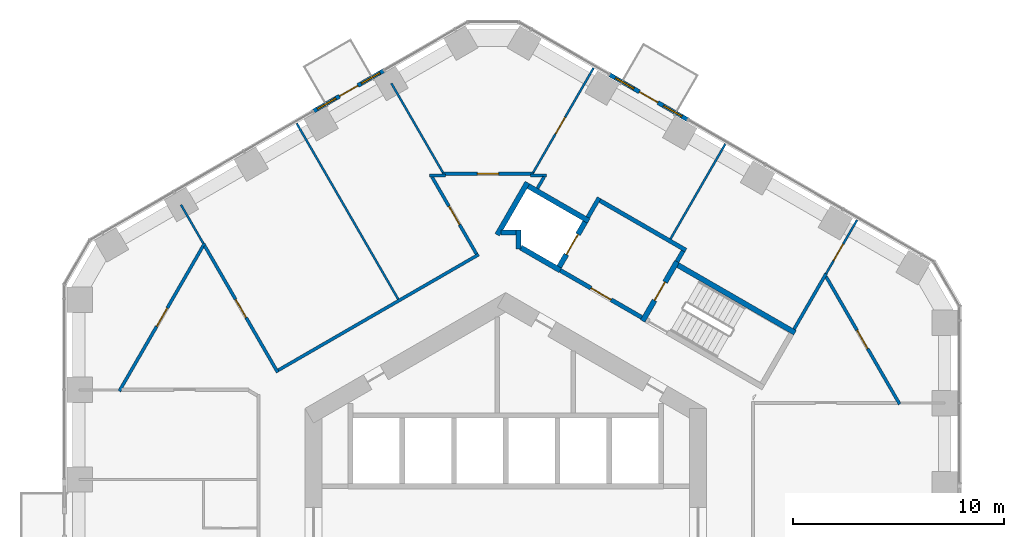
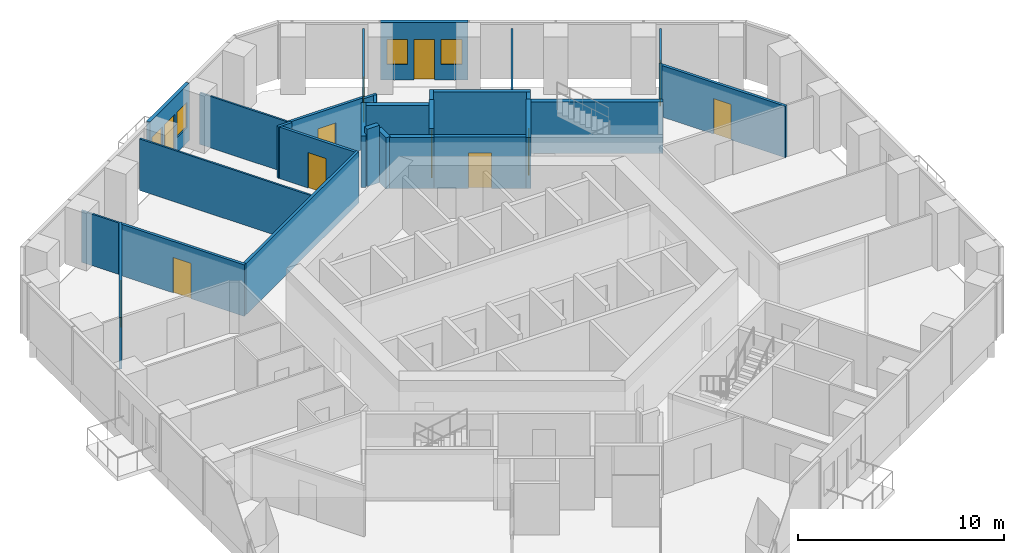
# One storey, part 16 of 20: 30 walls, 12 doors, 4 windows, 16 openings.
"""IFC4 building model written with IfcOpenShell, lengths in metres."""

from ifc_helpers import new_model, si_unit, direction, frame, frame_2d, origin, place, context, subcontext, project, spatial, rectangle, extrude, material, layer, layer_set, type_object, element, fill, save


model = new_model("IFC4")

# Units and contexts
model_context = context("Model", 3, precision=1e-05, world=origin(), true_north=direction((0.0, 1.0)))
body_context = subcontext(model_context, "Body", "Model", "MODEL_VIEW")
ifc_project = project(units=[si_unit("LENGTHUNIT", "METRE"), si_unit("AREAUNIT", "SQUARE_METRE"), si_unit("VOLUMEUNIT", "CUBIC_METRE"), si_unit("PLANEANGLEUNIT", "RADIAN"), si_unit("MASSUNIT", "GRAM", prefix="KILO")], contexts=[model_context])

# Site, building, storey
site_placement = place(None, origin())
site = spatial("IfcSite", under=ifc_project, at=site_placement, CompositionType="ELEMENT")
building_placement = place(site_placement, origin())
building = spatial("IfcBuilding", under=site, at=building_placement, Name="Ayvan Gate Tower", CompositionType="ELEMENT")
storey_placement = place(building_placement, frame((0.0, 0.0, 59.5)))
storey = spatial("IfcBuildingStorey", under=building, at=storey_placement, Name="L15", CompositionType="ELEMENT", Elevation=59.5)

# Wall, openings, door, windows
ifc_material_1 = material(Name="Insulated metal panel wall")
ifc_layer_1 = layer(ifc_material_1, 0.199951171875)
ifc_layer_set_1 = layer_set([ifc_layer_1], Name="Insulated metal panel wall")
wall_type_1 = type_object("IfcWallType", Name="Balcony door wall 200", PredefinedType="SOLIDWALL", material=ifc_layer_set_1)
wall_1_placement = place(storey_placement, frame((-5.781005859375, 21.470703125, 0.0), z_axis=(0.0, 0.0, 1.0), x_axis=(-0.866007800909, -0.500030487836, 0.0)))
wall_1 = element("IfcWall", 1, at=wall_1_placement, inside=storey, type_object=wall_type_1, Name="EW:L15:2:1", PredefinedType="SOLIDWALL", context=body_context, shape_type="SweptSolid", body=[
    extrude(rectangle(XDim=3.819091796875, YDim=0.199951171875, at=frame_2d((1.90966796875, 0.0))), origin(), (0.0, 0.0, 1.0), 3.39990234375),
])
opening_1_placement = place(wall_1_placement, frame((1.409423828125, 0.0, 0.0)))
opening_1 = element("IfcOpeningElement", 2, at=opening_1_placement, cuts=wall_1, Name="Opening L15-D92", PredefinedType="OPENING", context=body_context, shape_type="SweptSolid", body=[
    extrude(rectangle(XDim=1.0, YDim=2.39990234375, at=frame_2d((0.5, 1.199951171875))), frame((0.0, 0.10986328125, 0.0), z_axis=(0.0, -1.0, 0.0), x_axis=(1.0, 0.0, 0.0)), (0.0, 0.0, 1.0), 0.219970703125),
])
opening_2_placement = place(wall_1_placement, frame((0.204833984375, 0.0, 0.89990234375)))
opening_2 = element("IfcOpeningElement", 3, at=opening_2_placement, cuts=wall_1, Name="Opening W-B1", PredefinedType="OPENING", context=body_context, shape_type="SweptSolid", body=[
    extrude(rectangle(XDim=1.0, YDim=1.5, at=frame_2d((0.5, 0.75))), frame((0.0, 0.10986328125, 0.0), z_axis=(0.0, -1.0, 0.0), x_axis=(1.0, 0.0, 0.0)), (0.0, 0.0, 1.0), 0.219970703125),
])
opening_3_placement = place(wall_1_placement, frame((2.6142578125, 0.0, 0.89990234375)))
opening_3 = element("IfcOpeningElement", 4, at=opening_3_placement, cuts=wall_1, Name="Opening W-B1", PredefinedType="OPENING", context=body_context, shape_type="SweptSolid", body=[
    extrude(rectangle(XDim=1.0, YDim=1.5, at=frame_2d((0.5, 0.75))), frame((0.0, 0.10986328125, 0.0), z_axis=(0.0, -1.0, 0.0), x_axis=(1.0, 0.0, 0.0)), (0.0, 0.0, 1.0), 0.219970703125),
])
ifc_material_2 = material(Name="Bronze anodised aluminium and clear glass", Category="aluminium")
door_type_1 = type_object("IfcDoorType", Name="Balcony door D-B", OperationType="SINGLE_SWING_RIGHT", PredefinedType="DOOR", material=ifc_material_2)
door_1_placement = place(opening_1_placement, origin())
door_1 = element("IfcDoor", 5, at=door_1_placement, inside=storey, type_object=door_type_1, Name="Balcony door BAL-L15-2", OperationType="SINGLE_SWING_RIGHT", OverallHeight=2.39990234375, OverallWidth=1.0, PredefinedType="DOOR", context=body_context, shape_type="SweptSolid", body=[
    extrude(rectangle(XDim=1.0, YDim=2.39990234375, at=frame_2d((0.5, 1.199951171875))), frame((0.0, 0.02490234375, 0.0), z_axis=(0.0, -1.0, 0.0), x_axis=(1.0, 0.0, 0.0)), (0.0, 0.0, 1.0), 0.050048828125),
])
fill(opening_1, door_1)
window_type = type_object("IfcWindowType", Name="Balcony side light W-B Z1", PartitioningType="SINGLE_PANEL", PredefinedType="WINDOW", material=ifc_material_2)
window_1_placement = place(opening_2_placement, origin())
window_1 = element("IfcWindow", 6, at=window_1_placement, inside=storey, type_object=window_type, Name="Balcony side light BAL-L15-2.1", OverallHeight=1.5, OverallWidth=1.0, PartitioningType="SINGLE_PANEL", PredefinedType="WINDOW", context=body_context, shape_type="SweptSolid", body=[
    extrude(rectangle(XDim=1.0, YDim=1.5, at=frame_2d((0.5, 0.75))), frame((0.0, 0.030029296875, 0.0), z_axis=(0.0, -1.0, 0.0), x_axis=(1.0, 0.0, 0.0)), (0.0, 0.0, 1.0), 0.06005859375),
])
fill(opening_2, window_1)
window_2_placement = place(opening_3_placement, origin())
window_2 = element("IfcWindow", 7, at=window_2_placement, inside=storey, type_object=window_type, Name="Balcony side light BAL-L15-2.2", OverallHeight=1.5, OverallWidth=1.0, PartitioningType="SINGLE_PANEL", PredefinedType="WINDOW", context=body_context, shape_type="SweptSolid", body=[
    extrude(rectangle(XDim=1.0, YDim=1.5, at=frame_2d((0.5, 0.75))), frame((0.0, 0.030029296875, 0.0), z_axis=(0.0, -1.0, 0.0), x_axis=(1.0, 0.0, 0.0)), (0.0, 0.0, 1.0), 0.06005859375),
])
fill(opening_3, window_2)

wall_2_placement = place(storey_placement, frame((8.60498046875, 19.15478515625, 0.0), z_axis=(0.0, 0.0, 1.0), x_axis=(-0.866022039226, 0.500005827542, 0.0)))
wall_2 = element("IfcWall", 8, at=wall_2_placement, inside=storey, type_object=wall_type_1, Name="EW:L15:1:3", PredefinedType="SOLIDWALL", context=body_context, shape_type="SweptSolid", body=[
    extrude(rectangle(XDim=4.2509765625, YDim=0.199951171875, at=frame_2d((2.12548828125, 0.0))), origin(), (0.0, 0.0, 1.0), 3.39990234375),
])
opening_4_placement = place(wall_2_placement, frame((1.62548828125, 0.0, 0.0)))
opening_4 = element("IfcOpeningElement", 9, at=opening_4_placement, cuts=wall_2, Name="Opening L15-D91", PredefinedType="OPENING", context=body_context, shape_type="SweptSolid", body=[
    extrude(rectangle(XDim=1.0, YDim=2.39990234375, at=frame_2d((0.5, 1.199951171875))), frame((0.0, 0.10986328125, 0.0), z_axis=(0.0, -1.0, 0.0), x_axis=(1.0, 0.0, 0.0)), (0.0, 0.0, 1.0), 0.219970703125),
])
opening_5_placement = place(wall_2_placement, frame((0.312744140625, 0.0, 0.89990234375)))
opening_5 = element("IfcOpeningElement", 10, at=opening_5_placement, cuts=wall_2, Name="Opening W-B1", PredefinedType="OPENING", context=body_context, shape_type="SweptSolid", body=[
    extrude(rectangle(XDim=1.0, YDim=1.5, at=frame_2d((0.5, 0.75))), frame((0.0, 0.10986328125, 0.0), z_axis=(0.0, -1.0, 0.0), x_axis=(1.0, 0.0, 0.0)), (0.0, 0.0, 1.0), 0.219970703125),
])
opening_6_placement = place(wall_2_placement, frame((2.938232421875, 0.0, 0.89990234375)))
opening_6 = element("IfcOpeningElement", 11, at=opening_6_placement, cuts=wall_2, Name="Opening W-B1", PredefinedType="OPENING", context=body_context, shape_type="SweptSolid", body=[
    extrude(rectangle(XDim=1.0, YDim=1.5, at=frame_2d((0.5, 0.75))), frame((0.0, 0.10986328125, 0.0), z_axis=(0.0, -1.0, 0.0), x_axis=(1.0, 0.0, 0.0)), (0.0, 0.0, 1.0), 0.219970703125),
])
door_2_placement = place(opening_4_placement, origin())
door_2 = element("IfcDoor", 12, at=door_2_placement, inside=storey, type_object=door_type_1, Name="Balcony door BAL-L15-1", OperationType="SINGLE_SWING_RIGHT", OverallHeight=2.39990234375, OverallWidth=1.0, PredefinedType="DOOR", context=body_context, shape_type="SweptSolid", body=[
    extrude(rectangle(XDim=1.0, YDim=2.39990234375, at=frame_2d((0.5, 1.199951171875))), frame((0.0, 0.02490234375, 0.0), z_axis=(0.0, -1.0, 0.0), x_axis=(1.0, 0.0, 0.0)), (0.0, 0.0, 1.0), 0.050048828125),
])
fill(opening_4, door_2)
window_3_placement = place(opening_5_placement, origin())
window_3 = element("IfcWindow", 13, at=window_3_placement, inside=storey, type_object=window_type, Name="Balcony side light BAL-L15-1.1", OverallHeight=1.5, OverallWidth=1.0, PartitioningType="SINGLE_PANEL", PredefinedType="WINDOW", context=body_context, shape_type="SweptSolid", body=[
    extrude(rectangle(XDim=1.0, YDim=1.5, at=frame_2d((0.5, 0.75))), frame((0.0, 0.030029296875, 0.0), z_axis=(0.0, -1.0, 0.0), x_axis=(1.0, 0.0, 0.0)), (0.0, 0.0, 1.0), 0.06005859375),
])
fill(opening_5, window_3)
window_4_placement = place(opening_6_placement, origin())
window_4 = element("IfcWindow", 14, at=window_4_placement, inside=storey, type_object=window_type, Name="Balcony side light BAL-L15-1.2", OverallHeight=1.5, OverallWidth=1.0, PartitioningType="SINGLE_PANEL", PredefinedType="WINDOW", context=body_context, shape_type="SweptSolid", body=[
    extrude(rectangle(XDim=1.0, YDim=1.5, at=frame_2d((0.5, 0.75))), frame((0.0, 0.030029296875, 0.0), z_axis=(0.0, -1.0, 0.0), x_axis=(1.0, 0.0, 0.0)), (0.0, 0.0, 1.0), 0.06005859375),
])
fill(opening_6, window_4)

# Wall, opening, door
ifc_material_3 = material(Name="Plasterboard on steel stud", Category="steel")
ifc_layer_2 = layer(ifc_material_3, 0.14990234375)
ifc_layer_set_2 = layer_set([ifc_layer_2], Name="Plasterboard on steel stud")
wall_type_2 = type_object("IfcWallType", Name="WT-CORR-150", PredefinedType="PARTITIONING", material=ifc_layer_set_2)
wall_3_placement = place(storey_placement, frame((-18.29345703125, 6.301513671875, 0.0), z_axis=(0.0, 0.0, 1.0), x_axis=(0.500010634519, 0.866019263855, 0.0)))
wall_3 = element("IfcWall", 15, at=wall_3_placement, inside=storey, type_object=wall_type_2, Name="IW-L15-003", PredefinedType="PARTITIONING", context=body_context, shape_type="SweptSolid", body=[
    extrude(rectangle(XDim=8.091064453125, YDim=0.14990234375, at=frame_2d((4.04541015625, 0.0))), origin(), (0.0, 0.0, 1.0), 3.050048828125),
])
opening_7_placement = place(wall_3_placement, frame((3.545654296875, 0.0, 0.0)))
opening_7 = element("IfcOpeningElement", 16, at=opening_7_placement, cuts=wall_3, Name="Opening L15-D23", PredefinedType="OPENING", context=body_context, shape_type="SweptSolid", body=[
    extrude(rectangle(XDim=1.0, YDim=2.10009765625, at=frame_2d((0.5, 1.050048828125))), frame((0.0, 0.0849609375, 0.0), z_axis=(0.0, -1.0, 0.0), x_axis=(1.0, 0.0, 0.0)), (0.0, 0.0, 1.0), 0.169921875),
])
ifc_material_4 = material(Name="Timber door leaf", Category="wood")
door_type_2 = type_object("IfcDoorType", Name="DT-1000", OperationType="NOTDEFINED", PredefinedType="DOOR", material=ifc_material_4)
door_3_placement = place(opening_7_placement, origin())
door_3 = element("IfcDoor", 17, at=door_3_placement, inside=storey, type_object=door_type_2, Name="ID-L15-023", OperationType="SINGLE_SWING_RIGHT", OverallHeight=2.10009765625, OverallWidth=1.0, PredefinedType="DOOR", context=body_context, shape_type="SweptSolid", body=[
    extrude(rectangle(XDim=1.0, YDim=2.10009765625, at=frame_2d((0.5, 1.050048828125))), frame((0.0, 0.02490234375, 0.0), z_axis=(0.0, -1.0, 0.0), x_axis=(1.0, 0.0, 0.0)), (0.0, 0.0, 1.0), 0.050048828125),
])
fill(opening_7, door_3)

wall_4_placement = place(storey_placement, frame((-14.247802734375, 13.1787109375, 0.0), z_axis=(0.0, 0.0, 1.0), x_axis=(0.499998642356, -0.866026187619, 0.0)))
wall_4 = element("IfcWall", 18, at=wall_4_placement, inside=storey, type_object=wall_type_2, Name="IW-L15-010", PredefinedType="PARTITIONING", context=body_context, shape_type="SweptSolid", body=[
    extrude(rectangle(XDim=6.912109375, YDim=0.14990234375, at=frame_2d((3.4560546875, 0.0))), origin(), (0.0, 0.0, 1.0), 3.050048828125),
])
opening_8_placement = place(wall_4_placement, frame((2.91845703125, 0.0, 0.0)))
opening_8 = element("IfcOpeningElement", 19, at=opening_8_placement, cuts=wall_4, Name="Opening L15-D37", PredefinedType="OPENING", context=body_context, shape_type="SweptSolid", body=[
    extrude(rectangle(XDim=1.0, YDim=2.10009765625, at=frame_2d((0.5, 1.050048828125))), frame((0.0, 0.0849609375, 0.0), z_axis=(0.0, -1.0, 0.0), x_axis=(1.0, 0.0, 0.0)), (0.0, 0.0, 1.0), 0.169921875),
])
door_4_placement = place(opening_8_placement, origin())
door_4 = element("IfcDoor", 20, at=door_4_placement, inside=storey, type_object=door_type_2, Name="ID-L15-037", OperationType="SINGLE_SWING_RIGHT", OverallHeight=2.10009765625, OverallWidth=1.0, PredefinedType="DOOR", context=body_context, shape_type="SweptSolid", body=[
    extrude(rectangle(XDim=1.0, YDim=2.10009765625, at=frame_2d((0.5, 1.050048828125))), frame((0.0, 0.02490234375, 0.0), z_axis=(0.0, -1.0, 0.0), x_axis=(1.0, 0.0, 0.0)), (0.0, 0.0, 1.0), 0.050048828125),
])
fill(opening_8, door_4)

# Walls
wall_5_placement = place(storey_placement, frame((-10.764404296875, 7.295166015625, 0.0), z_axis=(0.0, 0.0, 1.0), x_axis=(0.866028150195, 0.499995243048, 0.0)))
element("IfcWall", 21, at=wall_5_placement, inside=storey, type_object=wall_type_2, Name="IW-L15-020", PredefinedType="PARTITIONING", context=body_context, shape_type="SweptSolid", body=[
    extrude(rectangle(XDim=10.94921875, YDim=0.14990234375, at=frame_2d((5.474609375, 0.0))), origin(), (0.0, 0.0, 1.0), 3.050048828125),
])
wall_6_placement = place(storey_placement, frame((-3.603515625, 16.510986328125, 0.0), z_axis=(0.0, 0.0, 1.0), x_axis=(1.0, 0.0, 0.0)))
element("IfcWall", 22, at=wall_6_placement, inside=storey, type_object=wall_type_2, Name="IW-L15-045", PredefinedType="PARTITIONING", context=body_context, shape_type="SweptSolid", body=[
    extrude(rectangle(XDim=0.7548828125, YDim=0.14990234375, at=frame_2d((0.37744140625, 0.0))), origin(), (0.0, 0.0, 1.0), 3.050048828125),
])

# Wall, opening, door
wall_7_placement = place(storey_placement, frame((-3.01611328125, 16.59326171875, 0.0), z_axis=(0.0, 0.0, 1.0), x_axis=(1.0, 0.0, 0.0)))
wall_7 = element("IfcWall", 23, at=wall_7_placement, inside=storey, type_object=wall_type_2, Name="IW-L15-048", PredefinedType="PARTITIONING", context=body_context, shape_type="SweptSolid", body=[
    extrude(rectangle(XDim=4.357421875, YDim=0.14990234375, at=frame_2d((2.1787109375, 0.0))), origin(), (0.0, 0.0, 1.0), 3.050048828125),
])
opening_9_placement = place(wall_7_placement, frame((1.6787109375, 0.0, 0.0)))
opening_9 = element("IfcOpeningElement", 24, at=opening_9_placement, cuts=wall_7, Name="Opening L15-D21", PredefinedType="OPENING", context=body_context, shape_type="SweptSolid", body=[
    extrude(rectangle(XDim=1.0, YDim=2.10009765625, at=frame_2d((0.5, 1.050048828125))), frame((0.0, 0.0849609375, 0.0), z_axis=(0.0, -1.0, 0.0), x_axis=(1.0, 0.0, 0.0)), (0.0, 0.0, 1.0), 0.169921875),
])
door_5_placement = place(opening_9_placement, origin())
door_5 = element("IfcDoor", 25, at=door_5_placement, inside=storey, type_object=door_type_2, Name="ID-L15-021", OperationType="SINGLE_SWING_RIGHT", OverallHeight=2.10009765625, OverallWidth=1.0, PredefinedType="DOOR", context=body_context, shape_type="SweptSolid", body=[
    extrude(rectangle(XDim=1.0, YDim=2.10009765625, at=frame_2d((0.5, 1.050048828125))), frame((0.0, 0.02490234375, 0.0), z_axis=(0.0, -1.0, 0.0), x_axis=(1.0, 0.0, 0.0)), (0.0, 0.0, 1.0), 0.050048828125),
])
fill(opening_9, door_5)

wall_8_placement = place(storey_placement, frame((-1.384521484375, 12.797119140625, 0.0), z_axis=(0.0, 0.0, 1.0), x_axis=(-0.499996648386, 0.866027338831, 0.0)))
wall_8 = element("IfcWall", 26, at=wall_8_placement, inside=storey, type_object=wall_type_2, Name="IW-L15-054", PredefinedType="PARTITIONING", context=body_context, shape_type="SweptSolid", body=[
    extrude(rectangle(XDim=4.21337890625, YDim=0.14990234375, at=frame_2d((2.106689453125, 0.0))), origin(), (0.0, 0.0, 1.0), 3.050048828125),
])
opening_10_placement = place(wall_8_placement, frame((1.606689453125, 0.0, 0.0)))
opening_10 = element("IfcOpeningElement", 27, at=opening_10_placement, cuts=wall_8, Name="Opening L15-D36", PredefinedType="OPENING", context=body_context, shape_type="SweptSolid", body=[
    extrude(rectangle(XDim=1.0, YDim=2.10009765625, at=frame_2d((0.5, 1.050048828125))), frame((0.0, 0.0849609375, 0.0), z_axis=(0.0, -1.0, 0.0), x_axis=(1.0, 0.0, 0.0)), (0.0, 0.0, 1.0), 0.169921875),
])
door_6_placement = place(opening_10_placement, origin())
door_6 = element("IfcDoor", 28, at=door_6_placement, inside=storey, type_object=door_type_2, Name="ID-L15-036", OperationType="SINGLE_SWING_LEFT", OverallHeight=2.10009765625, OverallWidth=1.0, PredefinedType="DOOR", context=body_context, shape_type="SweptSolid", body=[
    extrude(rectangle(XDim=1.0, YDim=2.10009765625, at=frame_2d((0.5, 1.050048828125))), frame((0.0, 0.02490234375, 0.0), z_axis=(0.0, -1.0, 0.0), x_axis=(1.0, 0.0, 0.0)), (0.0, 0.0, 1.0), 0.050048828125),
])
fill(opening_10, door_6)

# Walls
wall_9_placement = place(storey_placement, frame((1.173828125, 16.510986328125, 0.0), z_axis=(0.0, 0.0, 1.0), x_axis=(1.0, 0.0, 0.0)))
element("IfcWall", 29, at=wall_9_placement, inside=storey, type_object=wall_type_2, Name="IW-L15-066", PredefinedType="PARTITIONING", context=body_context, shape_type="SweptSolid", body=[
    extrude(rectangle(XDim=0.755126953125, YDim=0.14990234375, at=frame_2d((0.37744140625, 0.0))), origin(), (0.0, 0.0, 1.0), 3.050048828125),
])
wall_10_placement = place(storey_placement, frame((1.81640625, 16.446044921875, 0.0), z_axis=(0.0, 0.0, 1.0), x_axis=(-0.50008261738, -0.865977699363, 0.0)))
element("IfcWall", 30, at=wall_10_placement, inside=storey, type_object=wall_type_2, Name="IW-L15-070", PredefinedType="PARTITIONING", context=body_context, shape_type="SweptSolid", body=[
    extrude(rectangle(XDim=0.6259765625, YDim=0.14990234375, at=frame_2d((0.31298828125, 0.0))), origin(), (0.0, 0.0, 1.0), 3.050048828125),
])
wall_11_placement = place(storey_placement, frame((13.647705078125, 9.23876953125, 0.0), z_axis=(0.0, 0.0, 1.0), x_axis=(0.500036864363, 0.866004119088, 0.0)))
element("IfcWall", 31, at=wall_11_placement, inside=storey, type_object=wall_type_2, Name="IW-L15-109", PredefinedType="PARTITIONING", context=body_context, shape_type="SweptSolid", body=[
    extrude(rectangle(XDim=3.024658203125, YDim=0.14990234375, at=frame_2d((1.51220703125, 0.0))), origin(), (0.0, 0.0, 1.0), 3.050048828125),
])

# Wall, opening, door
wall_12_placement = place(storey_placement, frame((15.16015625, 11.728271484375, 0.0), z_axis=(0.0, 0.0, 1.0), x_axis=(0.499991973402, -0.866030037893, 0.0)))
wall_12 = element("IfcWall", 32, at=wall_12_placement, inside=storey, type_object=wall_type_2, Name="IW-L15-113", PredefinedType="PARTITIONING", context=body_context, shape_type="SweptSolid", body=[
    extrude(rectangle(XDim=6.978515625, YDim=0.14990234375, at=frame_2d((3.4892578125, 0.0))), origin(), (0.0, 0.0, 1.0), 3.050048828125),
])
opening_11_placement = place(wall_12_placement, frame((2.9345703125, 0.0, 0.0)))
opening_11 = element("IfcOpeningElement", 33, at=opening_11_placement, cuts=wall_12, Name="Opening L15-D19", PredefinedType="OPENING", context=body_context, shape_type="SweptSolid", body=[
    extrude(rectangle(XDim=1.0, YDim=2.10009765625, at=frame_2d((0.5, 1.050048828125))), frame((0.0, 0.0849609375, 0.0), z_axis=(0.0, -1.0, 0.0), x_axis=(1.0, 0.0, 0.0)), (0.0, 0.0, 1.0), 0.169921875),
])
door_7_placement = place(opening_11_placement, origin())
door_7 = element("IfcDoor", 34, at=door_7_placement, inside=storey, type_object=door_type_2, Name="ID-L15-019", OperationType="SINGLE_SWING_RIGHT", OverallHeight=2.10009765625, OverallWidth=1.0, PredefinedType="DOOR", context=body_context, shape_type="SweptSolid", body=[
    extrude(rectangle(XDim=1.0, YDim=2.10009765625, at=frame_2d((0.5, 1.050048828125))), frame((0.0, 0.02490234375, 0.0), z_axis=(0.0, -1.0, 0.0), x_axis=(1.0, 0.0, 0.0)), (0.0, 0.0, 1.0), 0.050048828125),
])
fill(opening_11, door_7)

# Walls
ifc_layer_3 = layer(ifc_material_3, 0.10009765625)
ifc_layer_set_3 = layer_set([ifc_layer_3], Name="Plasterboard on steel stud")
wall_type_3 = type_object("IfcWallType", Name="WT-PART-100", PredefinedType="PARTITIONING", material=ifc_layer_set_3)
wall_13_placement = place(storey_placement, frame((-15.37158203125, 15.125244140625, 0.0), z_axis=(0.0, 0.0, 1.0), x_axis=(0.499994469932, -0.866028596547, 0.0)))
element("IfcWall", 35, at=wall_13_placement, inside=storey, type_object=wall_type_3, Name="IW-L15-004", PredefinedType="PARTITIONING", context=body_context, shape_type="SweptSolid", body=[
    extrude(rectangle(XDim=2.09765625, YDim=0.10009765625, at=frame_2d((1.048828125, 0.0))), origin(), (0.0, 0.0, 1.0), 3.050048828125),
])
wall_14_placement = place(storey_placement, frame((-5.0908203125, 10.657470703125, 0.0), z_axis=(0.0, 0.0, 1.0), x_axis=(-0.499998937792, 0.866026017049, 0.0)))
element("IfcWall", 36, at=wall_14_placement, inside=storey, type_object=wall_type_3, Name="IW-L15-036", PredefinedType="PARTITIONING", context=body_context, shape_type="SweptSolid", body=[
    extrude(rectangle(XDim=9.60546875, YDim=0.10009765625, at=frame_2d((4.802734375, 0.0))), origin(), (0.0, 0.0, 1.0), 3.050048828125),
])
wall_15_placement = place(storey_placement, frame((-2.978515625, 16.658203125, 0.0), z_axis=(0.0, 0.0, 1.0), x_axis=(-0.500021943523, 0.866012734315, 0.0)))
element("IfcWall", 37, at=wall_15_placement, inside=storey, type_object=wall_type_3, Name="IW-L15-047", PredefinedType="PARTITIONING", context=body_context, shape_type="SweptSolid", body=[
    extrude(rectangle(XDim=4.868896484375, YDim=0.10009765625, at=frame_2d((2.4345703125, 0.0))), origin(), (0.0, 0.0, 1.0), 3.050048828125),
])

# Wall, opening, door
wall_16_placement = place(storey_placement, frame((4.158203125, 21.602294921875, 0.0), z_axis=(0.0, 0.0, 1.0), x_axis=(-0.500002556202, -0.866023927955, 0.0)))
wall_16 = element("IfcWall", 38, at=wall_16_placement, inside=storey, type_object=wall_type_3, Name="IW-L15-081", PredefinedType="PARTITIONING", context=body_context, shape_type="SweptSolid", body=[
    extrude(rectangle(XDim=5.708984375, YDim=0.10009765625, at=frame_2d((2.8544921875, 0.0))), origin(), (0.0, 0.0, 1.0), 3.050048828125),
])
opening_12_placement = place(wall_16_placement, frame((2.702392578125, 0.0, 0.0)))
opening_12 = element("IfcOpeningElement", 39, at=opening_12_placement, cuts=wall_16, Name="Opening L15-D22", PredefinedType="OPENING", context=body_context, shape_type="SweptSolid", body=[
    extrude(rectangle(XDim=0.89990234375, YDim=2.10009765625, at=frame_2d((0.449951171875, 1.050048828125))), frame((0.0, 0.06005859375, 0.0), z_axis=(0.0, -1.0, 0.0), x_axis=(1.0, 0.0, 0.0)), (0.0, 0.0, 1.0), 0.1201171875),
])
door_type_3 = type_object("IfcDoorType", Name="DT-900", OperationType="NOTDEFINED", PredefinedType="DOOR", material=ifc_material_4)
door_8_placement = place(opening_12_placement, origin())
door_8 = element("IfcDoor", 40, at=door_8_placement, inside=storey, type_object=door_type_3, Name="ID-L15-022", OperationType="SINGLE_SWING_LEFT", OverallHeight=2.10009765625, OverallWidth=0.89990234375, PredefinedType="DOOR", context=body_context, shape_type="SweptSolid", body=[
    extrude(rectangle(XDim=0.89990234375, YDim=2.10009765625, at=frame_2d((0.449951171875, 1.050048828125))), frame((0.0, 0.02490234375, 0.0), z_axis=(0.0, -1.0, 0.0), x_axis=(1.0, 0.0, 0.0)), (0.0, 0.0, 1.0), 0.050048828125),
])
fill(opening_12, door_8)

# Wall
wall_17_placement = place(storey_placement, frame((7.800048828125, 13.510009765625, 0.0), z_axis=(0.0, 0.0, 1.0), x_axis=(0.499991353094, 0.866030396021, 0.0)))
element("IfcWall", 41, at=wall_17_placement, inside=storey, type_object=wall_type_3, Name="IW-L15-093", PredefinedType="PARTITIONING", context=body_context, shape_type="SweptSolid", body=[
    extrude(rectangle(XDim=5.18701171875, YDim=0.10009765625, at=frame_2d((2.593505859375, 0.0))), origin(), (0.0, 0.0, 1.0), 3.050048828125),
])

# Wall, opening, door
wall_18_placement = place(storey_placement, frame((15.16015625, 11.858154296875, 0.0), z_axis=(0.0, 0.0, 1.0), x_axis=(0.500000635496, 0.86602503688, 0.0)))
wall_18 = element("IfcWall", 42, at=wall_18_placement, inside=storey, type_object=wall_type_3, Name="IW-L15-112", PredefinedType="PARTITIONING", context=body_context, shape_type="SweptSolid", body=[
    extrude(rectangle(XDim=2.9375, YDim=0.10009765625, at=frame_2d((1.46875, 0.0))), origin(), (0.0, 0.0, 1.0), 3.050048828125),
])
opening_13_placement = place(wall_18_placement, frame((0.720703125, 0.0, 0.0)))
opening_13 = element("IfcOpeningElement", 43, at=opening_13_placement, cuts=wall_18, Name="Opening L15-D20", PredefinedType="OPENING", context=body_context, shape_type="SweptSolid", body=[
    extrude(rectangle(XDim=0.89990234375, YDim=2.10009765625, at=frame_2d((0.449951171875, 1.050048828125))), frame((0.0, 0.06005859375, 0.0), z_axis=(0.0, -1.0, 0.0), x_axis=(1.0, 0.0, 0.0)), (0.0, 0.0, 1.0), 0.1201171875),
])
door_9_placement = place(opening_13_placement, origin())
door_9 = element("IfcDoor", 44, at=door_9_placement, inside=storey, type_object=door_type_3, Name="ID-L15-020", OperationType="SINGLE_SWING_LEFT", OverallHeight=2.10009765625, OverallWidth=0.89990234375, PredefinedType="DOOR", context=body_context, shape_type="SweptSolid", body=[
    extrude(rectangle(XDim=0.89990234375, YDim=2.10009765625, at=frame_2d((0.449951171875, 1.050048828125))), frame((0.0, 0.02490234375, 0.0), z_axis=(0.0, -1.0, 0.0), x_axis=(1.0, 0.0, 0.0)), (0.0, 0.0, 1.0), 0.050048828125),
])
fill(opening_13, door_9)

# Walls
ifc_layer_4 = layer(ifc_material_3, 0.199951171875)
ifc_layer_set_4 = layer_set([ifc_layer_4], Name="Plasterboard on steel stud")
wall_type_4 = type_object("IfcWallType", Name="WT-RATED-200", PredefinedType="PARTITIONING", material=ifc_layer_set_4)
wall_19_placement = place(storey_placement, frame((3.885009765625, 14.52880859375, 0.0), z_axis=(0.0, 0.0, 1.0), x_axis=(0.499997628298, 0.866026773083, 0.0)))
element("IfcWall", 45, at=wall_19_placement, inside=storey, type_object=wall_type_4, Name="IW-L15-080", PredefinedType="PARTITIONING", context=body_context, shape_type="SweptSolid", body=[
    extrude(rectangle(XDim=1.0751953125, YDim=0.199951171875, at=frame_2d((0.53759765625, 0.0))), origin(), (0.0, 0.0, 1.0), 3.050048828125),
])
wall_20_placement = place(storey_placement, frame((4.458984375, 15.323486328125, 0.0), z_axis=(0.0, 0.0, 1.0), x_axis=(0.866016039709, -0.500016218704, 0.0)))
element("IfcWall", 46, at=wall_20_placement, inside=storey, type_object=wall_type_4, Name="IW-L15-082", PredefinedType="PARTITIONING", context=body_context, shape_type="SweptSolid", body=[
    extrude(rectangle(XDim=4.699951171875, YDim=0.199951171875, at=frame_2d((2.35009765625, 0.0))), origin(), (0.0, 0.0, 1.0), 3.050048828125),
])

# Wall, opening, door
wall_21_placement = place(storey_placement, frame((6.4345703125, 9.794921875, 0.0), z_axis=(0.0, 0.0, 1.0), x_axis=(-0.866012907634, 0.500021643343, 0.0)))
wall_21 = element("IfcWall", 47, at=wall_21_placement, inside=storey, type_object=wall_type_4, Name="IW-L15-085", PredefinedType="PARTITIONING", context=body_context, shape_type="SweptSolid", body=[
    extrude(rectangle(XDim=4.449951171875, YDim=0.199951171875, at=frame_2d((2.22509765625, 0.0))), origin(), (0.0, 0.0, 1.0), 3.050048828125),
])
opening_14_placement = place(wall_21_placement, frame((1.675048828125, 0.0, 0.0)))
opening_14 = element("IfcOpeningElement", 48, at=opening_14_placement, cuts=wall_21, Name="Opening L15-D08", PredefinedType="OPENING", context=body_context, shape_type="SweptSolid", body=[
    extrude(rectangle(XDim=1.10009765625, YDim=2.10009765625, at=frame_2d((0.550048828125, 1.050048828125))), frame((0.0, 0.10986328125, 0.0), z_axis=(0.0, -1.0, 0.0), x_axis=(1.0, 0.0, 0.0)), (0.0, 0.0, 1.0), 0.219970703125),
])
door_type_4 = type_object("IfcDoorType", Name="DT-1100", OperationType="NOTDEFINED", PredefinedType="DOOR", material=ifc_material_4)
door_10_placement = place(opening_14_placement, origin())
door_10 = element("IfcDoor", 49, at=door_10_placement, inside=storey, type_object=door_type_4, Name="ID-L15-008", OperationType="SINGLE_SWING_LEFT", OverallHeight=2.10009765625, OverallWidth=1.10009765625, PredefinedType="DOOR", context=body_context, shape_type="SweptSolid", body=[
    extrude(rectangle(XDim=1.10009765625, YDim=2.10009765625, at=frame_2d((0.550048828125, 1.050048828125))), frame((0.0, 0.02490234375, 0.0), z_axis=(0.0, -1.0, 0.0), x_axis=(1.0, 0.0, 0.0)), (0.0, 0.0, 1.0), 0.050048828125),
])
fill(opening_14, door_10)

# Walls
wall_22_placement = place(storey_placement, frame((8.392822265625, 12.936767578125, 0.0), z_axis=(0.0, 0.0, 1.0), x_axis=(-0.500065409566, -0.86598763626, 0.0)))
element("IfcWall", 50, at=wall_22_placement, inside=storey, type_object=wall_type_4, Name="IW-L15-095", PredefinedType="PARTITIONING", context=body_context, shape_type="SweptSolid", body=[
    extrude(rectangle(XDim=0.5751953125, YDim=0.199951171875, at=frame_2d((0.28759765625, 0.0))), origin(), (0.0, 0.0, 1.0), 3.050048828125),
])
ifc_material_5 = material(Name="Concrete C50/60", Category="concrete")
ifc_layer_5 = layer(ifc_material_5, 0.25)
ifc_layer_set_5 = layer_set([ifc_layer_5], Name="Concrete C50/60")
wall_type_5 = type_object("IfcWallType", Name="WT-RC-250", PredefinedType="SHEAR", material=ifc_layer_set_5)
wall_23_placement = place(storey_placement, frame((-0.403076171875, 13.70166015625, 0.0), z_axis=(0.0, 0.0, 1.0), x_axis=(0.499976111731, 0.866039195244, 0.0)))
element("IfcWall", 51, at=wall_23_placement, inside=storey, type_object=wall_type_5, Name="IW-L15-060", PredefinedType="SHEAR", context=body_context, shape_type="SweptSolid", body=[
    extrude(rectangle(XDim=2.860595703125, YDim=0.25, at=frame_2d((1.43017578125, 0.0))), origin(), (0.0, 0.0, 1.0), 3.050048828125),
])
wall_24_placement = place(storey_placement, frame((0.60009765625, 13.03857421875, 0.0), z_axis=(0.0, 0.0, 1.0), x_axis=(0.0, 1.0, 0.0)))
element("IfcWall", 52, at=wall_24_placement, inside=storey, type_object=wall_type_5, Name="IW-L15-063", PredefinedType="SHEAR", context=body_context, shape_type="SweptSolid", body=[
    extrude(rectangle(XDim=0.896484375, YDim=0.25, at=frame_2d((0.4482421875, 0.0))), origin(), (0.0, 0.0, 1.0), 3.050048828125),
])
wall_25_placement = place(storey_placement, frame((0.47509765625, 13.81005859375, 0.0), z_axis=(0.0, 0.0, 1.0), x_axis=(-1.0, 0.0, 0.0)))
element("IfcWall", 53, at=wall_25_placement, inside=storey, type_object=wall_type_5, Name="IW-L15-064", PredefinedType="SHEAR", context=body_context, shape_type="SweptSolid", body=[
    extrude(rectangle(XDim=0.690673828125, YDim=0.25, at=frame_2d((0.34521484375, 0.0))), origin(), (0.0, 0.0, 1.0), 3.39990234375),
])
wall_26_placement = place(storey_placement, frame((1.072998046875, 16.00830078125, 0.0), z_axis=(0.0, 0.0, 1.0), x_axis=(0.866040211805, -0.499974350878, 0.0)))
element("IfcWall", 54, at=wall_26_placement, inside=storey, type_object=wall_type_5, Name="IW-L15-065", PredefinedType="SHEAR", context=body_context, shape_type="SweptSolid", body=[
    extrude(rectangle(XDim=3.300048828125, YDim=0.25, at=frame_2d((1.64990234375, 0.0))), origin(), (0.0, 0.0, 1.0), 3.050048828125),
])
wall_27_placement = place(storey_placement, frame((2.580810546875, 12.02001953125, 0.0), z_axis=(0.0, 0.0, 1.0), x_axis=(-0.86603892542, 0.499976579108, 0.0)))
element("IfcWall", 55, at=wall_27_placement, inside=storey, type_object=wall_type_5, Name="IW-L15-073", PredefinedType="SHEAR", context=body_context, shape_type="SweptSolid", body=[
    extrude(rectangle(XDim=2.162109375, YDim=0.25, at=frame_2d((1.0810546875, 0.0))), origin(), (0.0, 0.0, 1.0), 3.050048828125),
])

# Wall, opening, door
wall_28_placement = place(storey_placement, frame((2.534912109375, 12.19091796875, 0.0), z_axis=(0.0, 0.0, 1.0), x_axis=(0.500061746146, 0.865989751695, 0.0)))
wall_28 = element("IfcWall", 56, at=wall_28_placement, inside=storey, type_object=wall_type_5, Name="IW-L15-074", PredefinedType="SHEAR", context=body_context, shape_type="SweptSolid", body=[
    extrude(rectangle(XDim=2.449951171875, YDim=0.25, at=frame_2d((1.22509765625, 0.0))), origin(), (0.0, 0.0, 1.0), 3.39990234375),
])
opening_15_placement = place(wall_28_placement, frame((0.675048828125, 0.0, 0.0)))
opening_15 = element("IfcOpeningElement", 57, at=opening_15_placement, cuts=wall_28, Name="Opening L15-LD-FF1", PredefinedType="OPENING", context=body_context, shape_type="SweptSolid", body=[
    extrude(rectangle(XDim=1.10009765625, YDim=2.10009765625, at=frame_2d((0.550048828125, 1.050048828125))), frame((0.0, 0.135009765625, 0.0), z_axis=(0.0, -1.0, 0.0), x_axis=(1.0, 0.0, 0.0)), (0.0, 0.0, 1.0), 0.27001953125),
])
ifc_material_6 = material(Name="Stainless steel landing door", Category="steel")
door_type_5 = type_object("IfcDoorType", Name="DT-LANDING-1100", OperationType="SLIDING_TO_LEFT", PredefinedType="DOOR", material=ifc_material_6)
door_11_placement = place(opening_15_placement, origin())
door_11 = element("IfcDoor", 58, at=door_11_placement, inside=storey, type_object=door_type_5, Name="ID-L15-009", OperationType="SLIDING_TO_LEFT", OverallHeight=2.10009765625, OverallWidth=1.10009765625, PredefinedType="DOOR", context=body_context, shape_type="SweptSolid", body=[
    extrude(rectangle(XDim=1.10009765625, YDim=2.10009765625, at=frame_2d((0.550048828125, 1.050048828125))), frame((0.0, 0.02490234375, 0.0), z_axis=(0.0, -1.0, 0.0), x_axis=(1.0, 0.0, 0.0)), (0.0, 0.0, 1.0), 0.050048828125),
])
fill(opening_15, door_11)

wall_29_placement = place(storey_placement, frame((6.480224609375, 9.624267578125, 0.0), z_axis=(0.0, 0.0, 1.0), x_axis=(0.500017246033, 0.866015446554, 0.0)))
wall_29 = element("IfcWall", 59, at=wall_29_placement, inside=storey, type_object=wall_type_5, Name="IW-L15-086", PredefinedType="SHEAR", context=body_context, shape_type="SweptSolid", body=[
    extrude(rectangle(XDim=3.25, YDim=0.25, at=frame_2d((1.625, 0.0))), origin(), (0.0, 0.0, 1.0), 3.050048828125),
])
opening_16_placement = place(wall_29_placement, frame((1.125, 0.0, 0.0)))
opening_16 = element("IfcOpeningElement", 60, at=opening_16_placement, cuts=wall_29, Name="Opening L15-D07", PredefinedType="OPENING", context=body_context, shape_type="SweptSolid", body=[
    extrude(rectangle(XDim=1.0, YDim=2.10009765625, at=frame_2d((0.5, 1.050048828125))), frame((0.0, 0.135009765625, 0.0), z_axis=(0.0, -1.0, 0.0), x_axis=(1.0, 0.0, 0.0)), (0.0, 0.0, 1.0), 0.27001953125),
])
door_12_placement = place(opening_16_placement, origin())
door_12 = element("IfcDoor", 61, at=door_12_placement, inside=storey, type_object=door_type_2, Name="ID-L15-007", OperationType="SINGLE_SWING_RIGHT", OverallHeight=2.10009765625, OverallWidth=1.0, PredefinedType="DOOR", context=body_context, shape_type="SweptSolid", body=[
    extrude(rectangle(XDim=1.0, YDim=2.10009765625, at=frame_2d((0.5, 1.050048828125))), frame((0.0, 0.02490234375, 0.0), z_axis=(0.0, -1.0, 0.0), x_axis=(1.0, 0.0, 0.0)), (0.0, 0.0, 1.0), 0.050048828125),
])
fill(opening_16, door_12)

# Wall
wall_30_placement = place(storey_placement, frame((8.151123046875, 12.26806640625, 0.0), z_axis=(0.0, 0.0, 1.0), x_axis=(0.866025499775, -0.499999833739, 0.0)))
element("IfcWall", 62, at=wall_30_placement, inside=storey, type_object=wall_type_5, Name="IW-L15-094", PredefinedType="SHEAR", context=body_context, shape_type="SweptSolid", body=[
    extrude(rectangle(XDim=6.39990234375, YDim=0.25, at=frame_2d((3.199951171875, 0.0))), origin(), (0.0, 0.0, 1.0), 3.050048828125),
])

save(model, "model.ifc")
